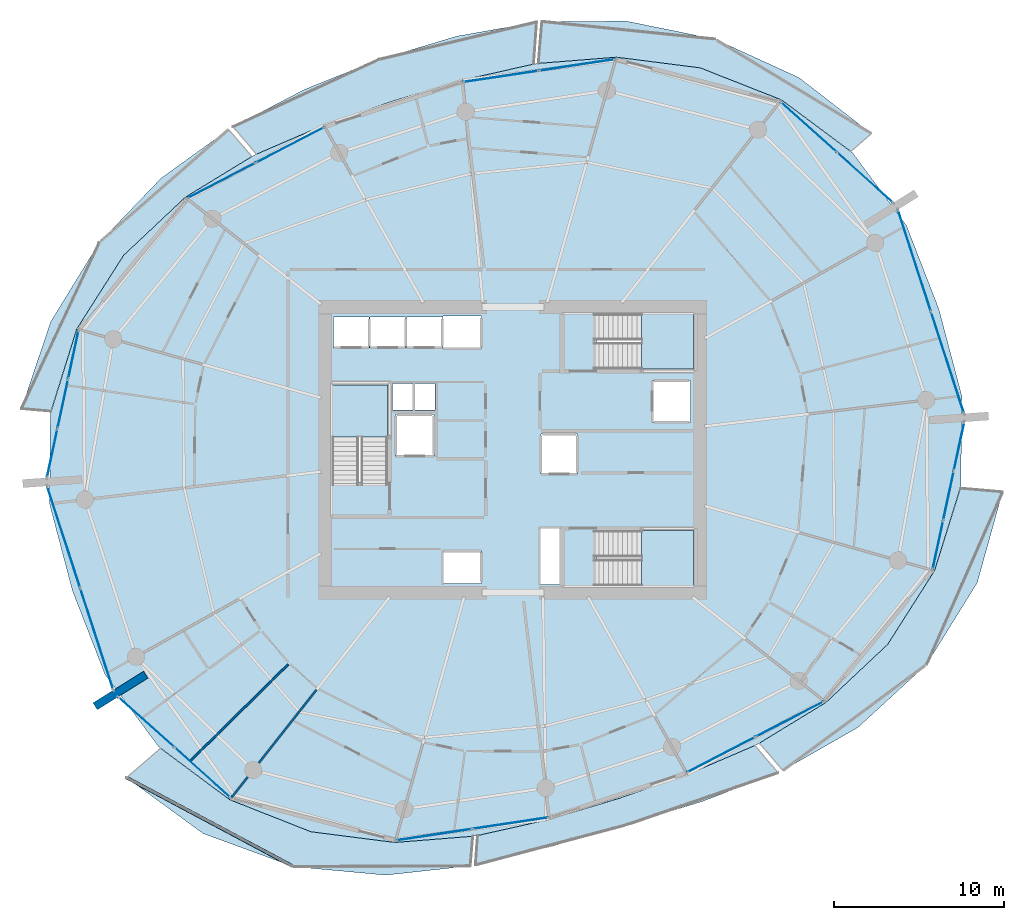
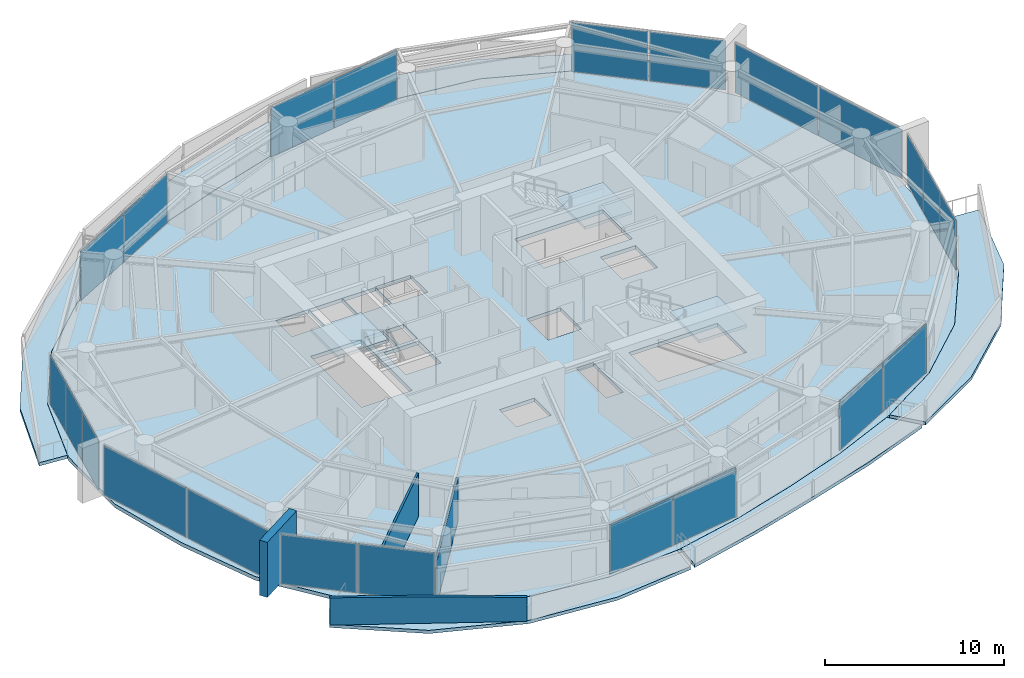
# One storey, part 10 of 20: 22 plates, 10 slabs, 4 walls, 13 elements without a shape of their own.
"""IFC4 building model written with IfcOpenShell, lengths in metres."""

from ifc_helpers import new_model, si_unit, direction, frame, frame_2d, origin, origin_2d, place, context, subcontext, project, spatial, polyline, rectangle, outline, extrude, material, layer, layer_set, type_object, element, aggregate, save


model = new_model("IFC4")

# Units and contexts
model_context = context("Model", 3, precision=1e-05, world=origin(), true_north=direction((0.0, 1.0)))
body_context = subcontext(model_context, "Body", "Model", "MODEL_VIEW")
ifc_project = project(units=[si_unit("LENGTHUNIT", "METRE"), si_unit("AREAUNIT", "SQUARE_METRE"), si_unit("VOLUMEUNIT", "CUBIC_METRE"), si_unit("PLANEANGLEUNIT", "RADIAN"), si_unit("MASSUNIT", "GRAM", prefix="KILO")], contexts=[model_context])

# Site, building, storey
site_placement = place(None, origin())
site = spatial("IfcSite", under=ifc_project, at=site_placement, CompositionType="ELEMENT")
building_placement = place(site_placement, origin())
building = spatial("IfcBuilding", under=site, at=building_placement, Name="Kazma Halo Residences", CompositionType="ELEMENT")
storey_placement = place(building_placement, frame((0.0, 0.0, 154.050048828125)))
storey = spatial("IfcBuildingStorey", under=building, at=storey_placement, Name="L38", CompositionType="ELEMENT", Elevation=154.050048828125)

# Curtain wall, plates
ifc_material_1 = material(Name="Aluminium AW-6063 T6 and Triple-Silver Low-E Glass", Category="aluminium")
ifc_layer_1 = layer(ifc_material_1, 0.219970703125)
ifc_layer_set_1 = layer_set([ifc_layer_1], Name="Aluminium AW-6063 T6 and Triple-Silver Low-E Glass")
curtain_wall_type = type_object("IfcCurtainWallType", Name="CW-SYS-4", PredefinedType="NOTDEFINED", material=ifc_layer_set_1)
curtain_wall_1_placement = place(storey_placement, origin())
curtain_wall_1 = element("IfcCurtainWall", 1, at=curtain_wall_1_placement, inside=storey, type_object=curtain_wall_type, Name="L38 unitised curtain wall B01", PredefinedType="NOTDEFINED")
ifc_material_2 = material(Name="Clear Triple-Silver Low-E Glass IGU", Category="glass")
ifc_layer_2 = layer(ifc_material_2, 0.033935546875)
ifc_layer_set_2 = layer_set([ifc_layer_2], Name="Clear Triple-Silver Low-E Glass IGU")
plate_type = type_object("IfcPlateType", Name="CW-SYS-4-PNL", PredefinedType="CURTAIN_PANEL", material=ifc_layer_set_2)
plate_1_placement = place(storey_placement, frame((69.126708984375, 58.008056640625, 0.074951171875), z_axis=(0.0, 0.0, 1.0), x_axis=(-0.744367582957, 0.667770096247, 0.0)))
plate_1 = element("IfcPlate", 2, at=plate_1_placement, type_object=plate_type, Name="CWS-4 panel 1.1", PredefinedType="CURTAIN_PANEL", context=body_context, shape_type="SweptSolid", body=[
    extrude(rectangle(XDim=4.36279296875, YDim=0.033935546875, at=origin_2d()), origin(), (0.0, 0.0, 1.0), 3.35009765625),
])
plate_2_placement = place(storey_placement, frame((65.823486328125, 60.971435546875, 0.074951171875), z_axis=(0.0, 0.0, 1.0), x_axis=(-0.744367582957, 0.667770096247, 0.0)))
plate_2 = element("IfcPlate", 3, at=plate_2_placement, type_object=plate_type, Name="CWS-4 panel 2.1", PredefinedType="CURTAIN_PANEL", context=body_context, shape_type="SweptSolid", body=[
    extrude(rectangle(XDim=4.36279296875, YDim=0.033935546875, at=origin_2d()), origin(), (0.0, 0.0, 1.0), 3.35009765625),
])
aggregate(curtain_wall_1, [plate_1, plate_2])

curtain_wall_2_placement = place(storey_placement, origin())
curtain_wall_2 = element("IfcCurtainWall", 4, at=curtain_wall_2_placement, inside=storey, type_object=curtain_wall_type, Name="L38 unitised curtain wall B03", PredefinedType="NOTDEFINED")
plate_3_placement = place(storey_placement, frame((52.200439453125, 64.625732421875, 0.074951171875), z_axis=(0.0, 0.0, 1.0), x_axis=(-0.988864148004, -0.148821022686, 0.0)))
plate_3 = element("IfcPlate", 5, at=plate_3_placement, type_object=plate_type, Name="CWS-4 panel 1.1", PredefinedType="CURTAIN_PANEL", context=body_context, shape_type="SweptSolid", body=[
    extrude(rectangle(XDim=4.4560546875, YDim=0.033935546875, at=origin_2d()), origin(), (0.0, 0.0, 1.0), 3.35009765625),
])
plate_4_placement = place(storey_placement, frame((47.7197265625, 63.951416015625, 0.074951171875), z_axis=(0.0, 0.0, 1.0), x_axis=(-0.988864148004, -0.148821022686, 0.0)))
plate_4 = element("IfcPlate", 6, at=plate_4_placement, type_object=plate_type, Name="CWS-4 panel 2.1", PredefinedType="CURTAIN_PANEL", context=body_context, shape_type="SweptSolid", body=[
    extrude(rectangle(XDim=4.4560546875, YDim=0.033935546875, at=origin_2d()), origin(), (0.0, 0.0, 1.0), 3.35009765625),
])
aggregate(curtain_wall_2, [plate_3, plate_4])

curtain_wall_3_placement = place(storey_placement, origin())
curtain_wall_3 = element("IfcCurtainWall", 7, at=curtain_wall_3_placement, inside=storey, type_object=curtain_wall_type, Name="L38 unitised curtain wall B05", PredefinedType="NOTDEFINED")
plate_5_placement = place(storey_placement, frame((35.323974609375, 59.923828125, 0.074951171875), z_axis=(0.0, 0.0, 1.0), x_axis=(-0.887484542306, -0.460837484552, 0.0)))
plate_5 = element("IfcPlate", 8, at=plate_5_placement, type_object=plate_type, Name="CWS-4 panel 1.1", PredefinedType="CURTAIN_PANEL", context=body_context, shape_type="SweptSolid", body=[
    extrude(rectangle(XDim=4.4560546875, YDim=0.033935546875, at=origin_2d()), origin(), (0.0, 0.0, 1.0), 3.35009765625),
])
plate_6_placement = place(storey_placement, frame((31.302734375, 57.835693359375, 0.074951171875), z_axis=(0.0, 0.0, 1.0), x_axis=(-0.887484542306, -0.460837484552, 0.0)))
plate_6 = element("IfcPlate", 9, at=plate_6_placement, type_object=plate_type, Name="CWS-4 panel 2.1", PredefinedType="CURTAIN_PANEL", context=body_context, shape_type="SweptSolid", body=[
    extrude(rectangle(XDim=4.4560546875, YDim=0.033935546875, at=origin_2d()), origin(), (0.0, 0.0, 1.0), 3.35009765625),
])
aggregate(curtain_wall_3, [plate_5, plate_6])

curtain_wall_4_placement = place(storey_placement, origin())
curtain_wall_4 = element("IfcCurtainWall", 10, at=curtain_wall_4_placement, inside=storey, type_object=curtain_wall_type, Name="L38 unitised curtain wall B07", PredefinedType="NOTDEFINED")
plate_7_placement = place(storey_placement, frame((22.5859375, 47.601318359375, 0.074951171875), z_axis=(0.0, 0.0, 1.0), x_axis=(-0.209703809037, -0.977764957684, 0.0)))
plate_7 = element("IfcPlate", 11, at=plate_7_placement, type_object=plate_type, Name="CWS-4 panel 1.1", PredefinedType="CURTAIN_PANEL", context=body_context, shape_type="SweptSolid", body=[
    extrude(rectangle(XDim=2.87109375, YDim=0.033935546875, at=origin_2d()), origin(), (0.0, 0.0, 1.0), 3.35009765625),
])
plate_8_placement = place(storey_placement, frame((21.964111328125, 44.702392578125, 0.074951171875), z_axis=(0.0, 0.0, 1.0), x_axis=(-0.209703809037, -0.977764957684, 0.0)))
plate_8 = element("IfcPlate", 12, at=plate_8_placement, type_object=plate_type, Name="CWS-4 panel 2.1", PredefinedType="CURTAIN_PANEL", context=body_context, shape_type="SweptSolid", body=[
    extrude(rectangle(XDim=2.90869140625, YDim=0.033935546875, at=origin_2d()), origin(), (0.0, 0.0, 1.0), 3.35009765625),
])
plate_9_placement = place(storey_placement, frame((21.34228515625, 41.803466796875, 0.074951171875), z_axis=(0.0, 0.0, 1.0), x_axis=(-0.209703809037, -0.977764957684, 0.0)))
plate_9 = element("IfcPlate", 13, at=plate_9_placement, type_object=plate_type, Name="CWS-4 panel 3.1", PredefinedType="CURTAIN_PANEL", context=body_context, shape_type="SweptSolid", body=[
    extrude(rectangle(XDim=2.87109375, YDim=0.033935546875, at=origin_2d()), origin(), (0.0, 0.0, 1.0), 3.35009765625),
])
aggregate(curtain_wall_4, [plate_7, plate_8, plate_9])

curtain_wall_5_placement = place(storey_placement, origin())
curtain_wall_5 = element("IfcCurtainWall", 14, at=curtain_wall_5_placement, inside=storey, type_object=curtain_wall_type, Name="L38 unitised curtain wall B08", PredefinedType="NOTDEFINED")
plate_10_placement = place(storey_placement, frame((22.017578125, 36.869873046875, 0.074951171875), z_axis=(0.0, 0.0, 1.0), x_axis=(0.3090138203, -0.951057547609, 0.0)))
plate_10 = element("IfcPlate", 15, at=plate_10_placement, type_object=plate_type, Name="CWS-4 panel 1.1", PredefinedType="CURTAIN_PANEL", context=body_context, shape_type="SweptSolid", body=[
    extrude(rectangle(XDim=6.224853515625, YDim=0.033935546875, at=origin_2d()), origin(), (0.0, 0.0, 1.0), 3.35009765625),
])
plate_11_placement = place(storey_placement, frame((23.96435546875, 30.878173828125, 0.074951171875), z_axis=(0.0, 0.0, 1.0), x_axis=(0.3090138203, -0.951057547609, 0.0)))
plate_11 = element("IfcPlate", 16, at=plate_11_placement, type_object=plate_type, Name="CWS-4 panel 2.1", PredefinedType="CURTAIN_PANEL", context=body_context, shape_type="SweptSolid", body=[
    extrude(rectangle(XDim=6.224853515625, YDim=0.033935546875, at=origin_2d()), origin(), (0.0, 0.0, 1.0), 3.35009765625),
])
aggregate(curtain_wall_5, [plate_10, plate_11])

curtain_wall_6_placement = place(storey_placement, origin())
curtain_wall_6 = element("IfcCurtainWall", 17, at=curtain_wall_6_placement, inside=storey, type_object=curtain_wall_type, Name="L38 unitised curtain wall B09", PredefinedType="NOTDEFINED")
plate_12_placement = place(storey_placement, frame((26.873291015625, 25.991943359375, 0.074951171875), z_axis=(0.0, 0.0, 1.0), x_axis=(0.744367582957, -0.667770096247, 0.0)))
plate_12 = element("IfcPlate", 18, at=plate_12_placement, type_object=plate_type, Name="CWS-4 panel 1.1", PredefinedType="CURTAIN_PANEL", context=body_context, shape_type="SweptSolid", body=[
    extrude(rectangle(XDim=4.36279296875, YDim=0.033935546875, at=origin_2d()), origin(), (0.0, 0.0, 1.0), 3.35009765625),
])
plate_13_placement = place(storey_placement, frame((30.176513671875, 23.028564453125, 0.074951171875), z_axis=(0.0, 0.0, 1.0), x_axis=(0.744367582957, -0.667770096247, 0.0)))
plate_13 = element("IfcPlate", 19, at=plate_13_placement, type_object=plate_type, Name="CWS-4 panel 2.1", PredefinedType="CURTAIN_PANEL", context=body_context, shape_type="SweptSolid", body=[
    extrude(rectangle(XDim=4.36279296875, YDim=0.033935546875, at=origin_2d()), origin(), (0.0, 0.0, 1.0), 3.35009765625),
])
aggregate(curtain_wall_6, [plate_12, plate_13])

curtain_wall_7_placement = place(storey_placement, origin())
curtain_wall_7 = element("IfcCurtainWall", 20, at=curtain_wall_7_placement, inside=storey, type_object=curtain_wall_type, Name="L38 unitised curtain wall B11", PredefinedType="NOTDEFINED")
plate_14_placement = place(storey_placement, frame((43.799560546875, 19.374267578125, 0.074951171875), z_axis=(0.0, 0.0, 1.0), x_axis=(0.988864148004, 0.148821022686, 0.0)))
plate_14 = element("IfcPlate", 21, at=plate_14_placement, type_object=plate_type, Name="CWS-4 panel 1.1", PredefinedType="CURTAIN_PANEL", context=body_context, shape_type="SweptSolid", body=[
    extrude(rectangle(XDim=4.4560546875, YDim=0.033935546875, at=origin_2d()), origin(), (0.0, 0.0, 1.0), 3.35009765625),
])
plate_15_placement = place(storey_placement, frame((48.2802734375, 20.048583984375, 0.074951171875), z_axis=(0.0, 0.0, 1.0), x_axis=(0.988864148004, 0.148821022686, 0.0)))
plate_15 = element("IfcPlate", 22, at=plate_15_placement, type_object=plate_type, Name="CWS-4 panel 2.1", PredefinedType="CURTAIN_PANEL", context=body_context, shape_type="SweptSolid", body=[
    extrude(rectangle(XDim=4.4560546875, YDim=0.033935546875, at=origin_2d()), origin(), (0.0, 0.0, 1.0), 3.35009765625),
])
aggregate(curtain_wall_7, [plate_14, plate_15])

curtain_wall_8_placement = place(storey_placement, origin())
curtain_wall_8 = element("IfcCurtainWall", 23, at=curtain_wall_8_placement, inside=storey, type_object=curtain_wall_type, Name="L38 unitised curtain wall B13", PredefinedType="NOTDEFINED")
plate_16_placement = place(storey_placement, frame((60.676025390625, 24.076171875, 0.074951171875), z_axis=(0.0, 0.0, 1.0), x_axis=(0.887484542306, 0.460837484552, 0.0)))
plate_16 = element("IfcPlate", 24, at=plate_16_placement, type_object=plate_type, Name="CWS-4 panel 1.1", PredefinedType="CURTAIN_PANEL", context=body_context, shape_type="SweptSolid", body=[
    extrude(rectangle(XDim=4.4560546875, YDim=0.033935546875, at=origin_2d()), origin(), (0.0, 0.0, 1.0), 3.35009765625),
])
plate_17_placement = place(storey_placement, frame((64.697265625, 26.164306640625, 0.074951171875), z_axis=(0.0, 0.0, 1.0), x_axis=(0.887484542306, 0.460837484552, 0.0)))
plate_17 = element("IfcPlate", 25, at=plate_17_placement, type_object=plate_type, Name="CWS-4 panel 2.1", PredefinedType="CURTAIN_PANEL", context=body_context, shape_type="SweptSolid", body=[
    extrude(rectangle(XDim=4.4560546875, YDim=0.033935546875, at=origin_2d()), origin(), (0.0, 0.0, 1.0), 3.35009765625),
])
aggregate(curtain_wall_8, [plate_16, plate_17])

curtain_wall_9_placement = place(storey_placement, origin())
curtain_wall_9 = element("IfcCurtainWall", 26, at=curtain_wall_9_placement, inside=storey, type_object=curtain_wall_type, Name="L38 unitised curtain wall B15", PredefinedType="NOTDEFINED")
plate_18_placement = place(storey_placement, frame((73.4140625, 36.398681640625, 0.074951171875), z_axis=(0.0, 0.0, 1.0), x_axis=(0.209703809037, 0.977764957684, 0.0)))
plate_18 = element("IfcPlate", 27, at=plate_18_placement, type_object=plate_type, Name="CWS-4 panel 1.1", PredefinedType="CURTAIN_PANEL", context=body_context, shape_type="SweptSolid", body=[
    extrude(rectangle(XDim=2.87109375, YDim=0.033935546875, at=origin_2d()), origin(), (0.0, 0.0, 1.0), 3.35009765625),
])
plate_19_placement = place(storey_placement, frame((74.035888671875, 39.297607421875, 0.074951171875), z_axis=(0.0, 0.0, 1.0), x_axis=(0.209703809037, 0.977764957684, 0.0)))
plate_19 = element("IfcPlate", 28, at=plate_19_placement, type_object=plate_type, Name="CWS-4 panel 2.1", PredefinedType="CURTAIN_PANEL", context=body_context, shape_type="SweptSolid", body=[
    extrude(rectangle(XDim=2.90869140625, YDim=0.033935546875, at=origin_2d()), origin(), (0.0, 0.0, 1.0), 3.35009765625),
])
plate_20_placement = place(storey_placement, frame((74.65771484375, 42.196533203125, 0.074951171875), z_axis=(0.0, 0.0, 1.0), x_axis=(0.209703809037, 0.977764957684, 0.0)))
plate_20 = element("IfcPlate", 29, at=plate_20_placement, type_object=plate_type, Name="CWS-4 panel 3.1", PredefinedType="CURTAIN_PANEL", context=body_context, shape_type="SweptSolid", body=[
    extrude(rectangle(XDim=2.87109375, YDim=0.033935546875, at=origin_2d()), origin(), (0.0, 0.0, 1.0), 3.35009765625),
])
aggregate(curtain_wall_9, [plate_18, plate_19, plate_20])

curtain_wall_10_placement = place(storey_placement, origin())
curtain_wall_10 = element("IfcCurtainWall", 30, at=curtain_wall_10_placement, inside=storey, type_object=curtain_wall_type, Name="L38 unitised curtain wall B16", PredefinedType="NOTDEFINED")
plate_21_placement = place(storey_placement, frame((73.982421875, 47.130126953125, 0.074951171875), z_axis=(0.0, 0.0, 1.0), x_axis=(-0.3090138203, 0.951057547609, 0.0)))
plate_21 = element("IfcPlate", 31, at=plate_21_placement, type_object=plate_type, Name="CWS-4 panel 1.1", PredefinedType="CURTAIN_PANEL", context=body_context, shape_type="SweptSolid", body=[
    extrude(rectangle(XDim=6.224853515625, YDim=0.033935546875, at=origin_2d()), origin(), (0.0, 0.0, 1.0), 3.35009765625),
])
plate_22_placement = place(storey_placement, frame((72.03564453125, 53.121826171875, 0.074951171875), z_axis=(0.0, 0.0, 1.0), x_axis=(-0.3090138203, 0.951057547609, 0.0)))
plate_22 = element("IfcPlate", 32, at=plate_22_placement, type_object=plate_type, Name="CWS-4 panel 2.1", PredefinedType="CURTAIN_PANEL", context=body_context, shape_type="SweptSolid", body=[
    extrude(rectangle(XDim=6.224853515625, YDim=0.033935546875, at=origin_2d()), origin(), (0.0, 0.0, 1.0), 3.35009765625),
])
aggregate(curtain_wall_10, [plate_21, plate_22])

# Slabs
ifc_material_3 = material(Name="White Concrete C50/60", Category="concrete")
ifc_layer_3 = layer(ifc_material_3, 0.219970703125)
ifc_layer_set_3 = layer_set([ifc_layer_3], Name="White Concrete C50/60")
slab_type_1 = type_object("IfcSlabType", Name="SLB-BAL-WAVE-210", PredefinedType="FLOOR", material=ifc_layer_set_3)
slab_1_placement = place(storey_placement, frame((0.0, 0.0, -0.219970703125)))
element("IfcSlab", 33, at=slab_1_placement, inside=storey, type_object=slab_type_1, Name="L38 NE cantilevered wave balcony slab", PredefinedType="FLOOR", context=body_context, shape_type="SweptSolid", body=[
    extrude(outline(polyline([(68.294677734375, 59.548583984375), (64.21923828125, 62.573974609375), (59.442626953125, 64.45751953125), (54.510986328125, 65.0859375), (49.927978515625, 64.720458984375), (50.13671875, 67.181396484375), (55.10791015625, 67.202880859375), (60.3046875, 66.1494140625), (65.25048828125, 63.882080078125), (69.50341796875, 60.593994140625), (68.294677734375, 59.548583984375)])), origin(), (0.0, 0.0, 1.0), 0.219970703125),
])
slab_2_placement = place(storey_placement, frame((0.0, 0.0, -0.219970703125)))
element("IfcSlab", 34, at=slab_2_placement, inside=storey, type_object=slab_type_1, Name="L38 NNW cantilevered wave balcony slab", PredefinedType="FLOOR", context=body_context, shape_type="SweptSolid", body=[
    extrude(outline(polyline([(49.6455078125, 64.67822265625), (45.427978515625, 63.72998046875), (41.3408203125, 62.494873046875), (37.30810546875, 61.091552734375), (33.3388671875, 59.3798828125), (31.975830078125, 60.99560546875), (36.141845703125, 63.174072265625), (40.544189453125, 64.947021484375), (45.12158203125, 66.31982421875), (49.824951171875, 67.150634765625), (49.6455078125, 64.67822265625)])), origin(), (0.0, 0.0, 1.0), 0.219970703125),
])
slab_3_placement = place(storey_placement, frame((0.0, 0.0, -0.219970703125)))
element("IfcSlab", 35, at=slab_3_placement, inside=storey, type_object=slab_type_1, Name="L38 NW cantilevered wave balcony slab", PredefinedType="FLOOR", context=body_context, shape_type="SweptSolid", body=[
    extrude(outline(polyline([(33.08544921875, 59.248046875), (29.1630859375, 56.849853515625), (25.54248046875, 53.442626953125), (22.78515625, 49.111328125), (21.2666015625, 44.268310546875), (19.52880859375, 44.415771484375), (21.2568359375, 49.54248046875), (24.101318359375, 54.177001953125), (27.7421875, 57.969970703125), (31.71240234375, 60.8359375), (33.08544921875, 59.248046875)])), origin(), (0.0, 0.0, 1.0), 0.219970703125),
])
slab_4_placement = place(storey_placement, frame((0.0, 0.0, -0.219970703125)))
element("IfcSlab", 36, at=slab_4_placement, inside=storey, type_object=slab_type_1, Name="L38 SW cantilevered wave balcony slab", PredefinedType="FLOOR", context=body_context, shape_type="SweptSolid", body=[
    extrude(outline(polyline([(27.705322265625, 24.451416015625), (31.78076171875, 21.426025390625), (36.557373046875, 19.54248046875), (41.489013671875, 18.9140625), (46.072021484375, 19.279541015625), (45.92431640625, 17.537841796875), (40.947021484375, 16.992431640625), (35.5146484375, 17.49609375), (30.214111328125, 19.438720703125), (25.7099609375, 22.725830078125), (27.705322265625, 24.451416015625)])), origin(), (0.0, 0.0, 1.0), 0.219970703125),
])
slab_5_placement = place(storey_placement, frame((0.0, 0.0, -0.219970703125)))
element("IfcSlab", 37, at=slab_5_placement, inside=storey, type_object=slab_type_1, Name="L38 SSE cantilevered wave balcony slab", PredefinedType="FLOOR", context=body_context, shape_type="SweptSolid", body=[
    extrude(outline(polyline([(46.3544921875, 19.32177734375), (50.572021484375, 20.27001953125), (54.6591796875, 21.505126953125), (58.69189453125, 22.908447265625), (62.6611328125, 24.6201171875), (64.011962890625, 23.018798828125), (59.57568359375, 21.330078125), (55.158935546875, 19.966796875), (50.758544921875, 18.693115234375), (46.229248046875, 17.59619140625), (46.3544921875, 19.32177734375)])), origin(), (0.0, 0.0, 1.0), 0.219970703125),
])
slab_6_placement = place(storey_placement, frame((0.0, 0.0, -0.219970703125)))
element("IfcSlab", 38, at=slab_6_placement, inside=storey, type_object=slab_type_1, Name="L38 SE cantilevered wave balcony slab", PredefinedType="FLOOR", context=body_context, shape_type="SweptSolid", body=[
    extrude(outline(polyline([(62.91455078125, 24.751953125), (66.8369140625, 27.150146484375), (70.45751953125, 30.557373046875), (73.21484375, 34.888671875), (74.7333984375, 39.731689453125), (77.217041015625, 39.52099609375), (75.724853515625, 34.180908203125), (72.7548828125, 29.38671875), (68.71142578125, 25.67236328125), (64.300048828125, 23.149658203125), (62.91455078125, 24.751953125)])), origin(), (0.0, 0.0, 1.0), 0.219970703125),
])
ifc_material_4 = material(Name="Concrete C50/60", Category="concrete")
ifc_layer_4 = layer(ifc_material_4, 0.25)
ifc_layer_set_4 = layer_set([ifc_layer_4], Name="Concrete C50/60")
slab_type_2 = type_object("IfcSlabType", Name="SLB-RES-250", PredefinedType="FLOOR", material=ifc_layer_set_4)
slab_7_placement = place(storey_placement, frame((0.0, 0.0, -0.25)))
element("IfcSlab", 39, at=slab_7_placement, inside=storey, type_object=slab_type_2, Name="L38 structural floor slab", PredefinedType="FLOOR", context=body_context, shape_type="SweptSolid", body=[
    extrude(outline(polyline([(73.47265625, 50.276611328125), (71.56201171875, 55.1953125), (68.41796875, 59.438720703125), (64.218017578125, 62.572509765625), (59.441650390625, 64.45556640625), (54.510498046875, 65.083984375), (49.787109375, 64.706298828125), (45.42822265625, 63.727783203125), (41.341552734375, 62.492919921875), (37.30908203125, 61.08984375), (33.2080078125, 59.3193359375), (29.16455078125, 56.8486328125), (25.54443359375, 53.441650390625), (22.787109375, 49.110595703125), (21.2314453125, 44.106689453125), (21.181884765625, 38.825927734375), (22.52734375, 33.723388671875), (24.43798828125, 28.8046875), (27.58203125, 24.561279296875), (31.781982421875, 21.427490234375), (36.558349609375, 19.54443359375), (41.489501953125, 18.916015625), (46.212890625, 19.293701171875), (50.57177734375, 20.272216796875), (54.658447265625, 21.507080078125), (58.69091796875, 22.91015625), (62.7919921875, 24.6806640625), (66.83544921875, 27.1513671875), (70.45556640625, 30.558349609375), (73.212890625, 34.889404296875), (74.7685546875, 39.893310546875), (74.818115234375, 45.174072265625), (73.47265625, 50.276611328125)]), holes=[polyline([(37.800048828125, 40.110107421875), (41.050048828125, 40.110107421875), (41.050048828125, 45.800048828125), (37.800048828125, 45.800048828125), (37.800048828125, 40.110107421875)]), polyline([(53.360107421875, 46.75), (59.050048828125, 46.75), (59.050048828125, 50.0), (53.360107421875, 50.0), (53.360107421875, 46.75)]), polyline([(53.360107421875, 34.0), (59.050048828125, 34.0), (59.050048828125, 37.25), (53.360107421875, 37.25), (53.360107421875, 34.0)]), polyline([(41.52001953125, 41.6201171875), (43.780029296875, 41.6201171875), (43.780029296875, 44.080078125), (41.52001953125, 44.080078125), (41.52001953125, 41.6201171875)]), polyline([(56.6201171875, 43.6201171875), (58.8798828125, 43.6201171875), (58.8798828125, 46.080078125), (56.6201171875, 46.080078125), (56.6201171875, 43.6201171875)]), polyline([(37.864990234375, 47.9951171875), (39.97509765625, 47.9951171875), (39.97509765625, 49.804931640625), (37.864990234375, 49.804931640625), (37.864990234375, 47.9951171875)]), polyline([(40.014892578125, 47.9951171875), (42.125, 47.9951171875), (42.125, 49.804931640625), (40.014892578125, 49.804931640625), (40.014892578125, 47.9951171875)]), polyline([(42.1650390625, 47.9951171875), (44.27490234375, 47.9951171875), (44.27490234375, 49.804931640625), (42.1650390625, 49.804931640625), (42.1650390625, 47.9951171875)]), polyline([(44.320068359375, 47.945068359375), (46.580078125, 47.945068359375), (46.580078125, 49.85498046875), (44.320068359375, 49.85498046875), (44.320068359375, 47.945068359375)]), polyline([(44.320068359375, 34.14501953125), (46.580078125, 34.14501953125), (46.580078125, 36.054931640625), (44.320068359375, 36.054931640625), (44.320068359375, 34.14501953125)]), polyline([(50.070068359375, 40.570068359375), (52.22998046875, 40.570068359375), (52.22998046875, 42.929931640625), (50.070068359375, 42.929931640625), (50.070068359375, 40.570068359375)]), polyline([(41.360107421875, 44.340087890625), (42.5400390625, 44.340087890625), (42.5400390625, 45.89990234375), (41.360107421875, 45.89990234375), (41.360107421875, 44.340087890625)]), polyline([(42.659912109375, 44.340087890625), (43.840087890625, 44.340087890625), (43.840087890625, 45.89990234375), (42.659912109375, 45.89990234375), (42.659912109375, 44.340087890625)]), polyline([(50.06005859375, 34.080078125), (51.159912109375, 34.080078125), (51.159912109375, 37.3798828125), (50.06005859375, 37.3798828125), (50.06005859375, 34.080078125)])]), origin(), (0.0, 0.0, 1.0), 0.25),
])

# Stair, slab
stair_type = type_object("IfcStairType", Name="STR-RES1", PredefinedType="HALF_TURN_STAIR", material=ifc_material_4)
stair_1_placement = place(storey_placement, origin())
stair_1 = element("IfcStair", 40, at=stair_1_placement, inside=storey, type_object=stair_type, Name="L38 Core exit stair ST-01", PredefinedType="HALF_TURN_STAIR")
ifc_layer_5 = layer(ifc_material_4, 0.199951171875)
ifc_layer_set_5 = layer_set([ifc_layer_5], Name="Concrete C50/60")
slab_type_3 = type_object("IfcSlabType", Name="SLB-STAIR-LND-200", PredefinedType="LANDING", material=ifc_layer_set_5)
slab_8_placement = place(storey_placement, frame((0.0, 0.0, 1.675048828125)))
slab_8 = element("IfcSlab", 41, at=slab_8_placement, type_object=slab_type_3, Name="ST-01 landing 1", PredefinedType="LANDING", context=body_context, shape_type="SweptSolid", body=[
    extrude(outline(polyline([(41.050048828125, 42.75), (41.050048828125, 45.800048828125), (37.800048828125, 45.800048828125), (37.800048828125, 42.75), (41.050048828125, 42.75)])), origin(), (0.0, 0.0, 1.0), 0.199951171875),
])
aggregate(stair_1, [slab_8])

stair_2_placement = place(storey_placement, origin())
stair_2 = element("IfcStair", 42, at=stair_2_placement, inside=storey, type_object=stair_type, Name="L38 Core exit stair ST-02", PredefinedType="HALF_TURN_STAIR")
slab_9_placement = place(storey_placement, frame((0.0, 0.0, 1.675048828125)))
slab_9 = element("IfcSlab", 43, at=slab_9_placement, type_object=slab_type_3, Name="ST-02 landing 1", PredefinedType="LANDING", context=body_context, shape_type="SweptSolid", body=[
    extrude(outline(polyline([(56.0, 46.75), (59.050048828125, 46.75), (59.050048828125, 50.0), (56.0, 50.0), (56.0, 46.75)])), origin(), (0.0, 0.0, 1.0), 0.199951171875),
])
aggregate(stair_2, [slab_9])

stair_3_placement = place(storey_placement, origin())
stair_3 = element("IfcStair", 44, at=stair_3_placement, inside=storey, type_object=stair_type, Name="L38 Core exit stair ST-03", PredefinedType="HALF_TURN_STAIR")
slab_10_placement = place(storey_placement, frame((0.0, 0.0, 1.675048828125)))
slab_10 = element("IfcSlab", 45, at=slab_10_placement, type_object=slab_type_3, Name="ST-03 landing 1", PredefinedType="LANDING", context=body_context, shape_type="SweptSolid", body=[
    extrude(outline(polyline([(56.0, 34.0), (59.050048828125, 34.0), (59.050048828125, 37.25), (56.0, 37.25), (56.0, 34.0)])), origin(), (0.0, 0.0, 1.0), 0.199951171875),
])
aggregate(stair_3, [slab_10])

# Walls
ifc_material_5 = material(Name="White Concrete C50/60 Balustrade", Category="concrete")
ifc_layer_6 = layer(ifc_material_5, 0.179931640625)
ifc_layer_set_6 = layer_set([ifc_layer_6], Name="White Concrete C50/60 Balustrade")
wall_type_1 = type_object("IfcWallType", Name="WL-BAL-WAVE-180", PredefinedType="PARAPET", material=ifc_layer_set_6)
wall_1_placement = place(storey_placement, frame((25.7099609375, 22.725830078125, 0.0), z_axis=(0.0, 0.0, 1.0), x_axis=(0.882327117471, -0.470636651543, 0.0)))
element("IfcWall", 46, at=wall_1_placement, inside=storey, type_object=wall_type_1, Name="L38 white wave balustrade wall SW.1", PredefinedType="PARAPET", context=body_context, shape_type="SweptSolid", body=[
    extrude(outline(polyline([(0.0, 0.0), (10.9921875, 0.0), (10.9921875, 1.6318359375), (5.49609375, 1.7978515625), (0.0, 1.85986328125), (0.0, 0.0)])), frame((0.0, 0.08984375, 0.0), z_axis=(0.0, -1.0, 0.0), x_axis=(1.0, 0.0, 0.0)), (0.0, 0.0, 1.0), 0.179931640625),
])
ifc_material_6 = material(Name="Pale Concrete C60/75", Category="concrete")
ifc_layer_7 = layer(ifc_material_6, 0.47998046875)
ifc_layer_set_7 = layer_set([ifc_layer_7], Name="Pale Concrete C60/75")
wall_type_2 = type_object("IfcWallType", Name="WL-BLADE-480", PredefinedType="SOLIDWALL", material=ifc_layer_set_7)
wall_2_placement = place(storey_placement, frame((26.834716796875, 28.7744140625, 0.0), z_axis=(0.0, 0.0, 1.0), x_axis=(-0.848053161125, -0.529911158502, 0.0)))
element("IfcWall", 47, at=wall_2_placement, inside=storey, type_object=wall_type_2, Name="L38 pale concrete structural blade fin wall BW-03", PredefinedType="SOLIDWALL", context=body_context, shape_type="SweptSolid", body=[
    extrude(rectangle(XDim=3.5, YDim=0.47998046875, at=frame_2d((1.75, 0.0))), origin(), (0.0, 0.0, 1.0), 3.75),
])
ifc_material_7 = material(Name="Gypsum Plasterboard Partition")
ifc_layer_8 = layer(ifc_material_7, 0.125)
ifc_layer_set_8 = layer_set([ifc_layer_8], Name="Gypsum Plasterboard Partition")
wall_type_3 = type_object("IfcWallType", Name="WL-PART-125", PredefinedType="PARTITIONING", material=ifc_layer_set_8)
wall_3_placement = place(storey_placement, frame((35.215087890625, 29.385986328125, 0.0), z_axis=(0.0, 0.0, 1.0), x_axis=(-0.711845690147, -0.702335897857, 0.0)))
element("IfcWall", 48, at=wall_3_placement, inside=storey, type_object=wall_type_3, Name="L38 Apartment 2 suite divider 8", PredefinedType="PARTITIONING", context=body_context, shape_type="SweptSolid", body=[
    extrude(rectangle(XDim=8.0869140625, YDim=0.125, at=frame_2d((4.04345703125, 0.0))), origin(), (0.0, 0.0, 1.0), 2.93994140625),
])
wall_4_placement = place(storey_placement, frame((36.875, 27.887939453125, 0.0), z_axis=(0.0, 0.0, 1.0), x_axis=(-0.61910151414, -0.78531096719, 0.0)))
element("IfcWall", 49, at=wall_4_placement, inside=storey, type_object=wall_type_3, Name="L38 Apartment 2 radial partition 9", PredefinedType="PARTITIONING", context=body_context, shape_type="SweptSolid", body=[
    extrude(rectangle(XDim=8.081787109375, YDim=0.125, at=frame_2d((4.041015625, 0.0))), origin(), (0.0, 0.0, 1.0), 2.93994140625),
])

save(model, "model.ifc")
